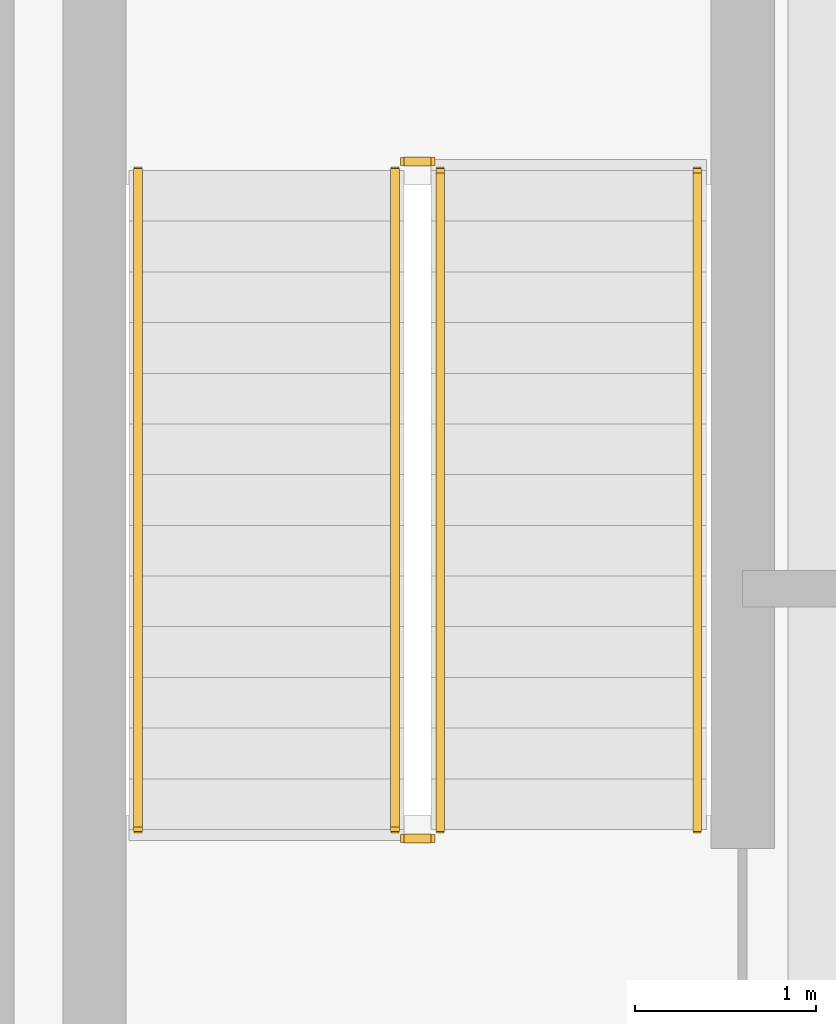
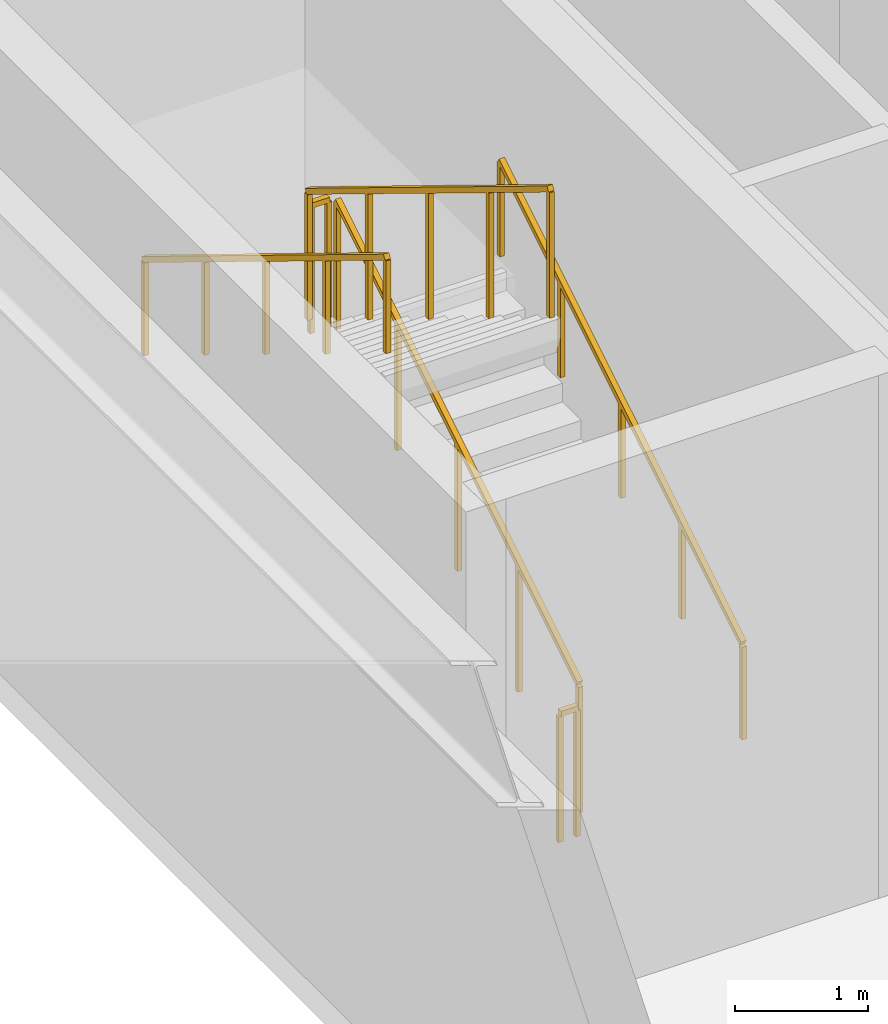
# One storey, part 12 of 12: 6 railings.
"""IFC4 building model written with IfcOpenShell, lengths in metres."""

from ifc_helpers import new_model, si_unit, direction, frame, origin, origin_2d, place, context, subcontext, project, spatial, rectangle, extrude, material, type_object, element, save


model = new_model("IFC4")

# Units and contexts
model_context = context("Model", 3, precision=1e-05, world=origin(), true_north=direction((0.0, 1.0)))
body_context = subcontext(model_context, "Body", "Model", "MODEL_VIEW")
ifc_project = project(units=[si_unit("LENGTHUNIT", "METRE"), si_unit("AREAUNIT", "SQUARE_METRE"), si_unit("VOLUMEUNIT", "CUBIC_METRE"), si_unit("PLANEANGLEUNIT", "RADIAN"), si_unit("MASSUNIT", "GRAM", prefix="KILO")], contexts=[model_context])

# Site, building, storey
site_placement = place(None, origin())
site = spatial("IfcSite", under=ifc_project, at=site_placement, CompositionType="ELEMENT")
building_placement = place(site_placement, origin())
building = spatial("IfcBuilding", under=site, at=building_placement, Name="Orvandelia Arch Residences", CompositionType="ELEMENT")
storey_placement = place(building_placement, frame((0.0, 0.0, 10.0)))
storey = spatial("IfcBuildingStorey", under=building, at=storey_placement, Name="L02", CompositionType="ELEMENT", Elevation=10.0)

# Railings
ifc_material = material(Name="Brushed Stainless Steel 304", Category="steel")
railing_type_1 = type_object("IfcRailingType", Name="RL-STAIR-GD1120", PredefinedType="GUARDRAIL", material=ifc_material)
railing_1_placement = place(storey_placement, frame((45.929931640625, 37.77001953125, 0.17138671875)))
element("IfcRailing", 1, at=railing_1_placement, inside=storey, type_object=railing_type_1, Name="L02 ST-3 stair guard 1", PredefinedType="GUARDRAIL", context=body_context, shape_type="SweptSolid", body=[
    extrude(rectangle(XDim=0.048095703125, YDim=0.048095703125, at=origin_2d()), frame((0.0, 0.0, 1.17578125), z_axis=(0.0, 0.852850264322, 0.5221555579), x_axis=(-1.0, 0.0, 0.0)), (0.0, 0.0, 1.0), 4.267822265625),
    extrude(rectangle(XDim=0.0419921875, YDim=0.0419921875, at=origin_2d()), origin(), (0.0, 0.0, 1.0), 1.15185546875),
    extrude(rectangle(XDim=0.0419921875, YDim=0.0419921875, at=origin_2d()), frame((0.0, 0.909912109375, 0.55712890625)), (0.0, 0.0, 1.0), 1.15185546875),
    extrude(rectangle(XDim=0.0419921875, YDim=0.0419921875, at=origin_2d()), frame((0.0, 1.81982421875, 1.1142578125)), (0.0, 0.0, 1.0), 1.15185546875),
    extrude(rectangle(XDim=0.0419921875, YDim=0.0419921875, at=origin_2d()), frame((0.0, 2.72998046875, 1.67138671875)), (0.0, 0.0, 1.0), 1.15185546875),
    extrude(rectangle(XDim=0.0419921875, YDim=0.0419921875, at=origin_2d()), frame((0.0, 3.639892578125, 2.228515625)), (0.0, 0.0, 1.0), 1.15185546875),
])
railing_2_placement = place(storey_placement, frame((45.8798828125, 41.4599609375, 2.39990234375)))
element("IfcRailing", 2, at=railing_2_placement, inside=storey, type_object=railing_type_1, Name="L02 ST-3 stair guard 2", PredefinedType="GUARDRAIL", context=body_context, shape_type="SweptSolid", body=[
    extrude(rectangle(XDim=0.048095703125, YDim=0.048095703125, at=origin_2d()), frame((0.0, 0.0, 1.17578125), z_axis=(-1.0, 0.0, 0.0), x_axis=(0.0, -1.0, 0.0)), (0.0, 0.0, 1.0), 0.14990234375),
    extrude(rectangle(XDim=0.0419921875, YDim=0.0419921875, at=origin_2d()), origin(), (0.0, 0.0, 1.0), 1.15185546875),
    extrude(rectangle(XDim=0.0419921875, YDim=0.0419921875, at=origin_2d()), frame((-0.14990234375, 0.0, 0.0)), (0.0, 0.0, 1.0), 1.15185546875),
])
railing_3_placement = place(storey_placement, frame((45.679931640625, 41.409912109375, 2.571533203125)))
element("IfcRailing", 3, at=railing_3_placement, inside=storey, type_object=railing_type_1, Name="L02 ST-3 stair guard 3", PredefinedType="GUARDRAIL", context=body_context, shape_type="SweptSolid", body=[
    extrude(rectangle(XDim=0.048095703125, YDim=0.048095703125, at=origin_2d()), frame((0.0, 0.0, 1.17578125), z_axis=(0.0, -0.852850264322, 0.5221555579), x_axis=(1.0, 0.0, 0.0)), (0.0, 0.0, 1.0), 4.267822265625),
    extrude(rectangle(XDim=0.0419921875, YDim=0.0419921875, at=origin_2d()), origin(), (0.0, 0.0, 1.0), 1.15185546875),
    extrude(rectangle(XDim=0.0419921875, YDim=0.0419921875, at=origin_2d()), frame((0.0, -0.909912109375, 0.55712890625)), (0.0, 0.0, 1.0), 1.15185546875),
    extrude(rectangle(XDim=0.0419921875, YDim=0.0419921875, at=origin_2d()), frame((0.0, -1.81982421875, 1.1142578125)), (0.0, 0.0, 1.0), 1.15185546875),
    extrude(rectangle(XDim=0.0419921875, YDim=0.0419921875, at=origin_2d()), frame((0.0, -2.72998046875, 1.67138671875)), (0.0, 0.0, 1.0), 1.15185546875),
    extrude(rectangle(XDim=0.0419921875, YDim=0.0419921875, at=origin_2d()), frame((0.0, -3.639892578125, 2.228515625)), (0.0, 0.0, 1.0), 1.15185546875),
])
railing_4_placement = place(storey_placement, frame((45.8798828125, 37.719970703125, 0.0)))
element("IfcRailing", 4, at=railing_4_placement, inside=storey, type_object=railing_type_1, Name="L02 ST-3 stair guard 4", PredefinedType="GUARDRAIL", context=body_context, shape_type="SweptSolid", body=[
    extrude(rectangle(XDim=0.048095703125, YDim=0.048095703125, at=origin_2d()), frame((0.0, 0.0, 1.17578125), z_axis=(-1.0, 0.0, 0.0), x_axis=(0.0, -1.0, 0.0)), (0.0, 0.0, 1.0), 0.14990234375),
    extrude(rectangle(XDim=0.0419921875, YDim=0.0419921875, at=origin_2d()), origin(), (0.0, 0.0, 1.0), 1.15185546875),
    extrude(rectangle(XDim=0.0419921875, YDim=0.0419921875, at=origin_2d()), frame((-0.14990234375, 0.0, 0.0)), (0.0, 0.0, 1.0), 1.15185546875),
])
railing_type_2 = type_object("IfcRailingType", Name="RL-STAIR-HR920", PredefinedType="HANDRAIL", material=ifc_material)
railing_5_placement = place(storey_placement, frame((47.35009765625, 37.77001953125, 0.3427734375)))
element("IfcRailing", 5, at=railing_5_placement, inside=storey, type_object=railing_type_2, Name="L02 ST-3 stair handrail 1", PredefinedType="HANDRAIL", context=body_context, shape_type="SweptSolid", body=[
    extrude(rectangle(XDim=0.048095703125, YDim=0.048095703125, at=origin_2d()), frame((0.0, 0.0, 0.8759765625), z_axis=(0.0, 0.852824790078, 0.522197163366), x_axis=(-1.0, 0.0, 0.0)), (0.0, 0.0, 1.0), 4.26806640625),
    extrude(rectangle(XDim=0.0419921875, YDim=0.0419921875, at=origin_2d()), origin(), (0.0, 0.0, 1.0), 0.851806640625),
    extrude(rectangle(XDim=0.0419921875, YDim=0.0419921875, at=origin_2d()), frame((0.0, 0.909912109375, 0.55712890625)), (0.0, 0.0, 1.0), 0.851806640625),
    extrude(rectangle(XDim=0.0419921875, YDim=0.0419921875, at=origin_2d()), frame((0.0, 1.81982421875, 1.1142578125)), (0.0, 0.0, 1.0), 0.851806640625),
    extrude(rectangle(XDim=0.0419921875, YDim=0.0419921875, at=origin_2d()), frame((0.0, 2.72998046875, 1.671630859375)), (0.0, 0.0, 1.0), 0.851806640625),
    extrude(rectangle(XDim=0.0419921875, YDim=0.0419921875, at=origin_2d()), frame((0.0, 3.639892578125, 2.228759765625)), (0.0, 0.0, 1.0), 0.851806640625),
])
railing_6_placement = place(storey_placement, frame((44.260009765625, 41.409912109375, 2.742919921875)))
element("IfcRailing", 6, at=railing_6_placement, inside=storey, type_object=railing_type_2, Name="L02 ST-3 stair handrail 2", PredefinedType="HANDRAIL", context=body_context, shape_type="SweptSolid", body=[
    extrude(rectangle(XDim=0.048095703125, YDim=0.048095703125, at=origin_2d()), frame((0.0, 0.0, 0.8759765625), z_axis=(0.0, -0.852850264322, 0.5221555579), x_axis=(1.0, 0.0, 0.0)), (0.0, 0.0, 1.0), 4.267822265625),
    extrude(rectangle(XDim=0.0419921875, YDim=0.0419921875, at=origin_2d()), origin(), (0.0, 0.0, 1.0), 0.851806640625),
    extrude(rectangle(XDim=0.0419921875, YDim=0.0419921875, at=origin_2d()), frame((0.0, -0.909912109375, 0.55712890625)), (0.0, 0.0, 1.0), 0.851806640625),
    extrude(rectangle(XDim=0.0419921875, YDim=0.0419921875, at=origin_2d()), frame((0.0, -1.81982421875, 1.1142578125)), (0.0, 0.0, 1.0), 0.851806640625),
    extrude(rectangle(XDim=0.0419921875, YDim=0.0419921875, at=origin_2d()), frame((0.0, -2.72998046875, 1.67138671875)), (0.0, 0.0, 1.0), 0.851806640625),
    extrude(rectangle(XDim=0.0419921875, YDim=0.0419921875, at=origin_2d()), frame((0.0, -3.639892578125, 2.228515625)), (0.0, 0.0, 1.0), 0.851806640625),
])

save(model, "model.ifc")
